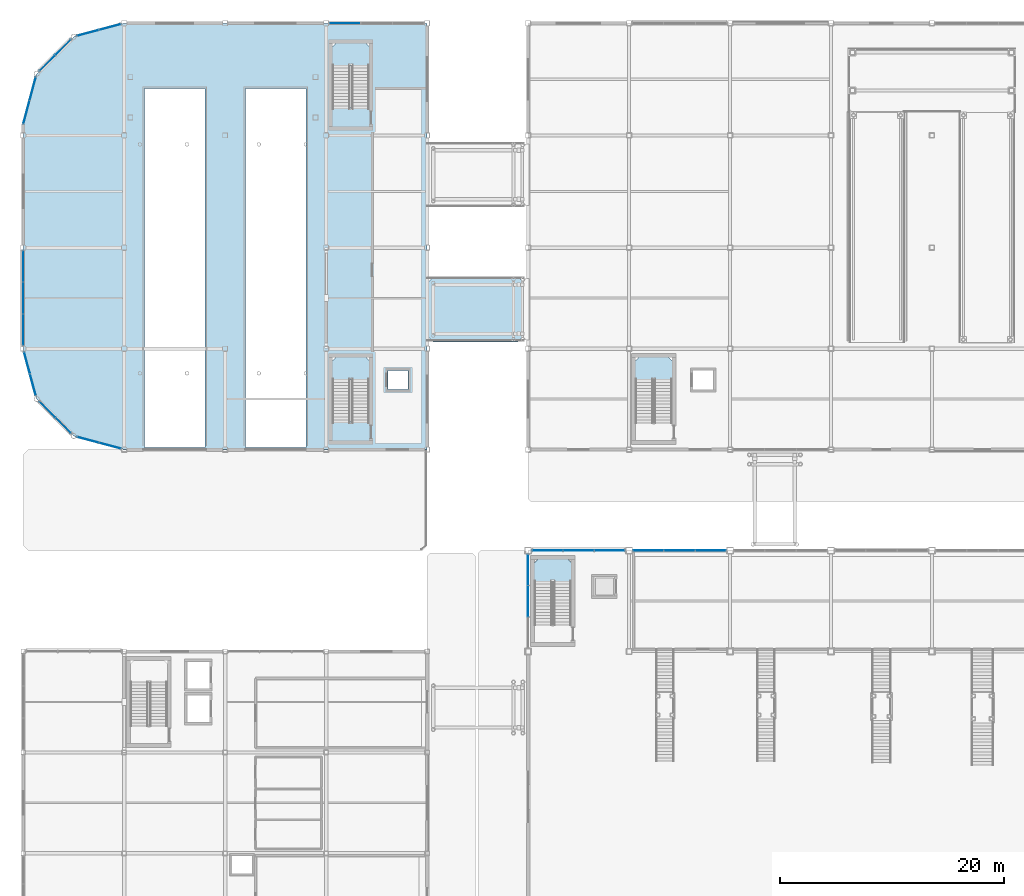
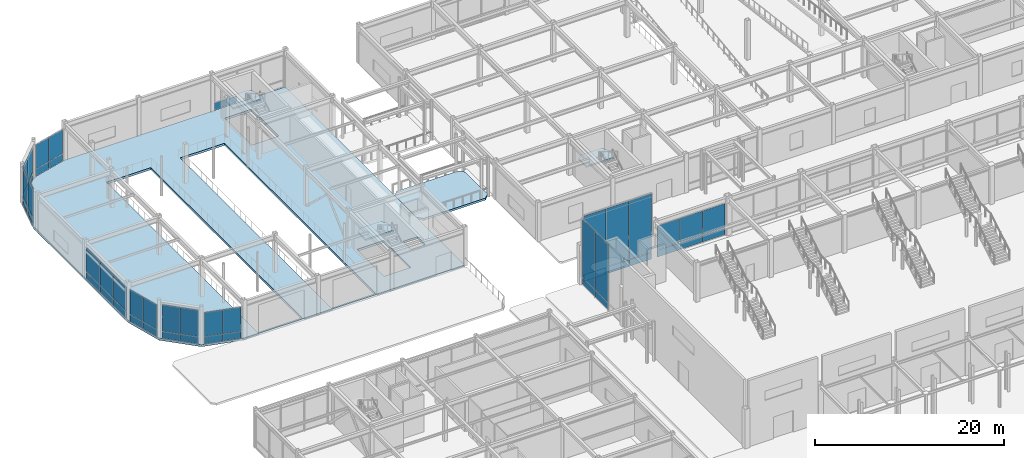
# One storey, part 66 of 123: 47 plates, 6 slabs, 15 elements without a shape of their own.
"""IFC4 building model written with IfcOpenShell, lengths in metres."""

from ifc_helpers import new_model, si_unit, direction, frame, origin, origin_2d, place, context, subcontext, project, spatial, polyline, rectangle, outline, extrude, material, layer, layer_set, type_object, element, aggregate, save


model = new_model("IFC4")

# Units and contexts
model_context = context("Model", 3, precision=1e-05, world=origin(), true_north=direction((0.0, 1.0)))
body_context = subcontext(model_context, "Body", "Model", "MODEL_VIEW")
ifc_project = project(units=[si_unit("LENGTHUNIT", "METRE"), si_unit("AREAUNIT", "SQUARE_METRE"), si_unit("VOLUMEUNIT", "CUBIC_METRE"), si_unit("PLANEANGLEUNIT", "RADIAN"), si_unit("MASSUNIT", "GRAM", prefix="KILO")], contexts=[model_context])

# Site, building, storey
site_placement = place(None, origin())
site = spatial("IfcSite", under=ifc_project, at=site_placement, CompositionType="ELEMENT")
building_placement = place(site_placement, origin())
building = spatial("IfcBuilding", under=site, at=building_placement, Name="Suzunagisa Mobility Hub", CompositionType="ELEMENT")
storey_placement = place(building_placement, origin())
storey = spatial("IfcBuildingStorey", under=building, at=storey_placement, Name="L00", CompositionType="ELEMENT", Elevation=0.0)

# Slabs
ifc_material_1 = material(Name="Concrete C35/45", Category="concrete")
ifc_layer_1 = layer(ifc_material_1, 0.280029296875)
ifc_layer_set_1 = layer_set([ifc_layer_1], Name="Concrete C35/45")
slab_type_1 = type_object("IfcSlabType", Name="Composite Slab SL-10 280mm", PredefinedType="FLOOR", material=ifc_layer_set_1)
slab_1_placement = place(storey_placement, frame((0.0, 0.0, -0.280029296875)))
element("IfcSlab", 1, at=slab_1_placement, inside=storey, type_object=slab_type_1, Name="L00 V2 Floor Slab", PredefinedType="FLOOR", context=body_context, shape_type="SweptSolid", body=[
    extrude(outline(polyline([(0.0, 89.0), (1.205810546875, 84.5), (4.5, 81.205810546875), (9.0, 80.0), (36.0, 80.0), (36.0, 118.0), (9.0, 118.0), (4.5, 116.794189453125), (1.205810546875, 113.5), (0.0, 109.0), (0.0, 89.0)]), holes=[polyline([(27.56005859375, 82.47998046875), (30.840087890625, 82.47998046875), (30.840087890625, 88.199951171875), (27.56005859375, 88.199951171875), (27.56005859375, 82.47998046875)]), polyline([(32.52001953125, 85.3701171875), (34.280029296875, 85.3701171875), (34.280029296875, 87.030029296875), (32.52001953125, 87.030029296875), (32.52001953125, 85.3701171875)]), polyline([(27.56005859375, 110.47998046875), (30.840087890625, 110.47998046875), (30.840087890625, 116.199951171875), (27.56005859375, 116.199951171875), (27.56005859375, 110.47998046875)]), polyline([(10.800048828125, 80.199951171875), (16.199951171875, 80.199951171875), (16.199951171875, 112.199951171875), (10.800048828125, 112.199951171875), (10.800048828125, 80.199951171875)]), polyline([(19.800048828125, 80.199951171875), (25.199951171875, 80.199951171875), (25.199951171875, 112.199951171875), (19.800048828125, 112.199951171875), (19.800048828125, 80.199951171875)])]), origin(), (0.0, 0.0, 1.0), 0.280029296875),
])
ifc_layer_2 = layer(ifc_material_1, 0.260009765625)
ifc_layer_set_2 = layer_set([ifc_layer_2], Name="Concrete C35/45")
slab_type_2 = type_object("IfcSlabType", Name="Composite Slab SL-12 260mm", PredefinedType="FLOOR", material=ifc_layer_set_2)
slab_2_placement = place(storey_placement, frame((0.0, 0.0, -0.260009765625)))
element("IfcSlab", 2, at=slab_2_placement, inside=storey, type_object=slab_type_2, Name="L00 Bridge Deck VRL-L00-S", PredefinedType="FLOOR", context=body_context, shape_type="SweptSolid", body=[
    extrude(outline(polyline([(36.550048828125, 89.60009765625), (44.10009765625, 89.60009765625), (44.64990234375, 90.14990234375), (44.64990234375, 94.85009765625), (44.10009765625, 95.39990234375), (36.550048828125, 95.39990234375), (36.0, 94.85009765625), (36.0, 90.14990234375), (36.550048828125, 89.60009765625)])), origin(), (0.0, 0.0, 1.0), 0.260009765625),
])

# Stair, slab
stair_type_1 = type_object("IfcStairType", Name="Dog-Leg Core Escape Stair ST-03 W1560", PredefinedType="HALF_TURN_STAIR", material=ifc_material_1)
stair_1_placement = place(storey_placement, origin())
stair_1 = element("IfcStair", 3, at=stair_1_placement, inside=storey, type_object=stair_type_1, Name="L00 Core C2 Escape Stair ST-03", PredefinedType="HALF_TURN_STAIR")
ifc_layer_3 = layer(ifc_material_1, 0.199951171875)
ifc_layer_set_3 = layer_set([ifc_layer_3], Name="Concrete C35/45")
slab_type_3 = type_object("IfcSlabType", Name="Core Stair Half-Landing Slab SL-SLND", PredefinedType="LANDING", material=ifc_layer_set_3)
slab_3_placement = place(storey_placement, frame((0.0, 0.0, 2.35009765625)))
slab_3 = element("IfcSlab", 4, at=slab_3_placement, type_object=slab_type_3, Name="ST-03 landing 1", PredefinedType="LANDING", context=body_context, shape_type="SweptSolid", body=[
    extrude(outline(polyline([(45.4599609375, 68.199951171875), (48.93994140625, 68.199951171875), (48.93994140625, 69.820068359375), (48.4599609375, 70.300048828125), (45.93994140625, 70.300048828125), (45.4599609375, 69.820068359375), (45.4599609375, 68.199951171875)])), origin(), (0.0, 0.0, 1.0), 0.199951171875),
])
aggregate(stair_1, [slab_3])

stair_type_2 = type_object("IfcStairType", Name="Dog-Leg Core Escape Stair ST-05 W1560", PredefinedType="HALF_TURN_STAIR", material=ifc_material_1)
stair_2_placement = place(storey_placement, origin())
stair_2 = element("IfcStair", 5, at=stair_2_placement, inside=storey, type_object=stair_type_2, Name="L00 Core C6 Escape Stair ST-05", PredefinedType="HALF_TURN_STAIR")
slab_4_placement = place(storey_placement, frame((0.0, 0.0, 2.35009765625)))
slab_4 = element("IfcSlab", 6, at=slab_4_placement, type_object=slab_type_3, Name="ST-05 landing 1", PredefinedType="LANDING", context=body_context, shape_type="SweptSolid", body=[
    extrude(outline(polyline([(27.4599609375, 86.199951171875), (30.93994140625, 86.199951171875), (30.93994140625, 87.820068359375), (30.4599609375, 88.300048828125), (27.93994140625, 88.300048828125), (27.4599609375, 87.820068359375), (27.4599609375, 86.199951171875)])), origin(), (0.0, 0.0, 1.0), 0.199951171875),
])
aggregate(stair_2, [slab_4])

stair_type_3 = type_object("IfcStairType", Name="Dog-Leg Core Escape Stair ST-06 W1560", PredefinedType="HALF_TURN_STAIR", material=ifc_material_1)
stair_3_placement = place(storey_placement, origin())
stair_3 = element("IfcStair", 7, at=stair_3_placement, inside=storey, type_object=stair_type_3, Name="L00 Core C6B Escape Stair ST-06", PredefinedType="HALF_TURN_STAIR")
slab_5_placement = place(storey_placement, frame((0.0, 0.0, 2.35009765625)))
slab_5 = element("IfcSlab", 8, at=slab_5_placement, type_object=slab_type_3, Name="ST-06 landing 1", PredefinedType="LANDING", context=body_context, shape_type="SweptSolid", body=[
    extrude(outline(polyline([(27.4599609375, 114.199951171875), (30.93994140625, 114.199951171875), (30.93994140625, 115.820068359375), (30.4599609375, 116.300048828125), (27.93994140625, 116.300048828125), (27.4599609375, 115.820068359375), (27.4599609375, 114.199951171875)])), origin(), (0.0, 0.0, 1.0), 0.199951171875),
])
aggregate(stair_3, [slab_5])

stair_type_4 = type_object("IfcStairType", Name="Dog-Leg Core Escape Stair ST-07 W1560", PredefinedType="HALF_TURN_STAIR", material=ifc_material_1)
stair_4_placement = place(storey_placement, origin())
stair_4 = element("IfcStair", 9, at=stair_4_placement, inside=storey, type_object=stair_type_4, Name="L00 Core C3 Escape Stair ST-07", PredefinedType="HALF_TURN_STAIR")
slab_6_placement = place(storey_placement, frame((0.0, 0.0, 2.35009765625)))
slab_6 = element("IfcSlab", 10, at=slab_6_placement, type_object=slab_type_3, Name="ST-07 landing 1", PredefinedType="LANDING", context=body_context, shape_type="SweptSolid", body=[
    extrude(outline(polyline([(54.4599609375, 86.199951171875), (57.93994140625, 86.199951171875), (57.93994140625, 87.820068359375), (57.4599609375, 88.300048828125), (54.93994140625, 88.300048828125), (54.4599609375, 87.820068359375), (54.4599609375, 86.199951171875)])), origin(), (0.0, 0.0, 1.0), 0.199951171875),
])
aggregate(stair_4, [slab_6])

# Curtain wall, plates
ifc_material_2 = material(Name="Thermally Broken Anodized Aluminum and Low-E Glazing", Category="aluminium")
curtain_wall_type_1 = type_object("IfcCurtainWallType", Name="Unitised Curtain Wall CW-04 4000x4200", PredefinedType="USERDEFINED", material=ifc_material_2)
curtain_wall_1_placement = place(storey_placement, origin())
curtain_wall_1 = element("IfcCurtainWall", 11, at=curtain_wall_1_placement, inside=storey, type_object=curtain_wall_type_1, Name="L00 Unitised Curtain Wall CW-44", ObjectType="UNITISED CURTAIN WALL", PredefinedType="USERDEFINED")
ifc_material_3 = material(Name="Low-E Solar-Control Double Glazing", Category="glass")
ifc_layer_4 = layer(ifc_material_3, 0.028076171875)
ifc_layer_set_4 = layer_set([ifc_layer_4], Name="Low-E Solar-Control Double Glazing")
plate_type_1 = type_object("IfcPlateType", Name="Low-E Double Glazed Curtain Panel GP-01 28mm", PredefinedType="CURTAIN_PANEL", material=ifc_layer_set_4)
plate_1_placement = place(storey_placement, frame((0.341064453125, 87.727294921875, 0.05810546875), z_axis=(0.0, 0.0, 1.0), x_axis=(0.258821357779, -0.965925206606, 0.0)))
plate_1 = element("IfcPlate", 12, at=plate_1_placement, type_object=plate_type_1, Name="Curtain Wall Glazing Panel 44-P1.1", PredefinedType="CURTAIN_PANEL", context=body_context, shape_type="SweptSolid", body=[
    extrude(rectangle(XDim=1.9580078125, YDim=0.028076171875, at=origin_2d()), origin(), (0.0, 0.0, 1.0), 0.864013671875),
])
plate_2_placement = place(storey_placement, frame((0.341064453125, 87.727294921875, 0.97802734375), z_axis=(0.0, 0.0, 1.0), x_axis=(0.258821357779, -0.965925206606, 0.0)))
plate_2 = element("IfcPlate", 13, at=plate_2_placement, type_object=plate_type_1, Name="Curtain Wall Glazing Panel 44-P1.2", PredefinedType="CURTAIN_PANEL", context=body_context, shape_type="SweptSolid", body=[
    extrude(rectangle(XDim=1.9580078125, YDim=0.028076171875, at=origin_2d()), origin(), (0.0, 0.0, 1.0), 3.154052734375),
])
plate_3_placement = place(storey_placement, frame((0.863525390625, 85.777099609375, 0.05810546875), z_axis=(0.0, 0.0, 1.0), x_axis=(0.258821357779, -0.965925206606, 0.0)))
plate_3 = element("IfcPlate", 14, at=plate_3_placement, type_object=plate_type_1, Name="Curtain Wall Glazing Panel 44-P2.1", PredefinedType="CURTAIN_PANEL", context=body_context, shape_type="SweptSolid", body=[
    extrude(rectangle(XDim=1.9580078125, YDim=0.028076171875, at=origin_2d()), origin(), (0.0, 0.0, 1.0), 0.864013671875),
])
plate_4_placement = place(storey_placement, frame((0.863525390625, 85.777099609375, 0.97802734375), z_axis=(0.0, 0.0, 1.0), x_axis=(0.258821357779, -0.965925206606, 0.0)))
plate_4 = element("IfcPlate", 15, at=plate_4_placement, type_object=plate_type_1, Name="Curtain Wall Glazing Panel 44-P2.2", PredefinedType="CURTAIN_PANEL", context=body_context, shape_type="SweptSolid", body=[
    extrude(rectangle(XDim=1.9580078125, YDim=0.028076171875, at=origin_2d()), origin(), (0.0, 0.0, 1.0), 3.154052734375),
])
aggregate(curtain_wall_1, [plate_1, plate_2, plate_3, plate_4])

curtain_wall_type_2 = type_object("IfcCurtainWallType", Name="Unitised Curtain Wall CW-26 4000x4400", PredefinedType="USERDEFINED", material=ifc_material_2)
curtain_wall_2_placement = place(storey_placement, origin())
curtain_wall_2 = element("IfcCurtainWall", 16, at=curtain_wall_2_placement, inside=storey, type_object=curtain_wall_type_2, Name="L00 Unitised Curtain Wall CW-45", ObjectType="UNITISED CURTAIN WALL", PredefinedType="USERDEFINED")
plate_5_placement = place(storey_placement, frame((2.1552734375, 83.550537109375, 0.05810546875), z_axis=(0.0, 0.0, 1.0), x_axis=(0.707106781187, -0.707106781187, 0.0)))
plate_5 = element("IfcPlate", 17, at=plate_5_placement, type_object=plate_type_1, Name="Curtain Wall Glazing Panel 45-P1.1", PredefinedType="CURTAIN_PANEL", context=body_context, shape_type="SweptSolid", body=[
    extrude(rectangle(XDim=1.91259765625, YDim=0.028076171875, at=origin_2d()), origin(), (0.0, 0.0, 1.0), 0.864013671875),
])
plate_6_placement = place(storey_placement, frame((2.1552734375, 83.550537109375, 0.97802734375), z_axis=(0.0, 0.0, 1.0), x_axis=(0.707106781187, -0.707106781187, 0.0)))
plate_6 = element("IfcPlate", 18, at=plate_6_placement, type_object=plate_type_1, Name="Curtain Wall Glazing Panel 45-P1.2", PredefinedType="CURTAIN_PANEL", context=body_context, shape_type="SweptSolid", body=[
    extrude(rectangle(XDim=1.91259765625, YDim=0.028076171875, at=origin_2d()), origin(), (0.0, 0.0, 1.0), 3.404052734375),
])
plate_7_placement = place(storey_placement, frame((3.55078125, 82.155029296875, 0.05810546875), z_axis=(0.0, 0.0, 1.0), x_axis=(0.707106781187, -0.707106781187, 0.0)))
plate_7 = element("IfcPlate", 19, at=plate_7_placement, type_object=plate_type_1, Name="Curtain Wall Glazing Panel 45-P2.1", PredefinedType="CURTAIN_PANEL", context=body_context, shape_type="SweptSolid", body=[
    extrude(rectangle(XDim=1.91259765625, YDim=0.028076171875, at=origin_2d()), origin(), (0.0, 0.0, 1.0), 0.864013671875),
])
plate_8_placement = place(storey_placement, frame((3.55078125, 82.155029296875, 0.97802734375), z_axis=(0.0, 0.0, 1.0), x_axis=(0.707106781187, -0.707106781187, 0.0)))
plate_8 = element("IfcPlate", 20, at=plate_8_placement, type_object=plate_type_1, Name="Curtain Wall Glazing Panel 45-P2.2", PredefinedType="CURTAIN_PANEL", context=body_context, shape_type="SweptSolid", body=[
    extrude(rectangle(XDim=1.91259765625, YDim=0.028076171875, at=origin_2d()), origin(), (0.0, 0.0, 1.0), 3.404052734375),
])
aggregate(curtain_wall_2, [plate_5, plate_6, plate_7, plate_8])

curtain_wall_type_3 = type_object("IfcCurtainWallType", Name="Unitised Curtain Wall CW-40 4000x4100", PredefinedType="USERDEFINED", material=ifc_material_2)
curtain_wall_3_placement = place(storey_placement, origin())
curtain_wall_3 = element("IfcCurtainWall", 21, at=curtain_wall_3_placement, inside=storey, type_object=curtain_wall_type_3, Name="L00 Unitised Curtain Wall CW-46", ObjectType="UNITISED CURTAIN WALL", PredefinedType="USERDEFINED")
plate_9_placement = place(storey_placement, frame((5.77685546875, 80.863525390625, 0.05810546875), z_axis=(0.0, 0.0, 1.0), x_axis=(0.965925206606, -0.258821357779, 0.0)))
plate_9 = element("IfcPlate", 22, at=plate_9_placement, type_object=plate_type_1, Name="Curtain Wall Glazing Panel 46-P1.1", PredefinedType="CURTAIN_PANEL", context=body_context, shape_type="SweptSolid", body=[
    extrude(rectangle(XDim=1.9580078125, YDim=0.028076171875, at=origin_2d()), origin(), (0.0, 0.0, 1.0), 0.864013671875),
])
plate_10_placement = place(storey_placement, frame((5.77685546875, 80.863525390625, 0.97802734375), z_axis=(0.0, 0.0, 1.0), x_axis=(0.965925206606, -0.258821357779, 0.0)))
plate_10 = element("IfcPlate", 23, at=plate_10_placement, type_object=plate_type_1, Name="Curtain Wall Glazing Panel 46-P1.2", PredefinedType="CURTAIN_PANEL", context=body_context, shape_type="SweptSolid", body=[
    extrude(rectangle(XDim=1.9580078125, YDim=0.028076171875, at=origin_2d()), origin(), (0.0, 0.0, 1.0), 3.10400390625),
])
plate_11_placement = place(storey_placement, frame((7.727294921875, 80.341064453125, 0.05810546875), z_axis=(0.0, 0.0, 1.0), x_axis=(0.965925206606, -0.258821357779, 0.0)))
plate_11 = element("IfcPlate", 24, at=plate_11_placement, type_object=plate_type_1, Name="Curtain Wall Glazing Panel 46-P2.1", PredefinedType="CURTAIN_PANEL", context=body_context, shape_type="SweptSolid", body=[
    extrude(rectangle(XDim=1.9580078125, YDim=0.028076171875, at=origin_2d()), origin(), (0.0, 0.0, 1.0), 0.864013671875),
])
plate_12_placement = place(storey_placement, frame((7.727294921875, 80.341064453125, 0.97802734375), z_axis=(0.0, 0.0, 1.0), x_axis=(0.965925206606, -0.258821357779, 0.0)))
plate_12 = element("IfcPlate", 25, at=plate_12_placement, type_object=plate_type_1, Name="Curtain Wall Glazing Panel 46-P2.2", PredefinedType="CURTAIN_PANEL", context=body_context, shape_type="SweptSolid", body=[
    extrude(rectangle(XDim=1.9580078125, YDim=0.028076171875, at=origin_2d()), origin(), (0.0, 0.0, 1.0), 3.10400390625),
])
aggregate(curtain_wall_3, [plate_9, plate_10, plate_11, plate_12])

# Curtain wall, plate
curtain_wall_type_4 = type_object("IfcCurtainWallType", Name="Unitised Curtain Wall CW-32 8500x4200", PredefinedType="USERDEFINED", material=ifc_material_2)
curtain_wall_4_placement = place(storey_placement, origin())
curtain_wall_4 = element("IfcCurtainWall", 26, at=curtain_wall_4_placement, inside=storey, type_object=curtain_wall_type_4, Name="L00 Unitised Curtain Wall CW-47", ObjectType="UNITISED CURTAIN WALL", PredefinedType="USERDEFINED")
plate_13_placement = place(storey_placement, frame((28.666259765625, 118.0, 0.06298828125), z_axis=(0.0, 0.0, 1.0), x_axis=(-1.0, 0.0, 0.0)))
plate_13 = element("IfcPlate", 27, at=plate_13_placement, type_object=plate_type_1, Name="Curtain Wall Glazing Panel 47-P3.1", PredefinedType="CURTAIN_PANEL", context=body_context, shape_type="SweptSolid", body=[
    extrude(rectangle(XDim=2.756591796875, YDim=0.028076171875, at=origin_2d()), origin(), (0.0, 0.0, 1.0), 0.8564453125),
])
aggregate(curtain_wall_4, [plate_13])

# Curtain wall, plates
curtain_wall_5_placement = place(storey_placement, origin())
curtain_wall_5 = element("IfcCurtainWall", 28, at=curtain_wall_5_placement, inside=storey, type_object=curtain_wall_type_3, Name="L00 Unitised Curtain Wall CW-48", ObjectType="UNITISED CURTAIN WALL", PredefinedType="USERDEFINED")
plate_14_placement = place(storey_placement, frame((7.727294921875, 117.658935546875, 0.05810546875), z_axis=(0.0, 0.0, 1.0), x_axis=(-0.965925206606, -0.258821357779, 0.0)))
plate_14 = element("IfcPlate", 29, at=plate_14_placement, type_object=plate_type_1, Name="Curtain Wall Glazing Panel 48-P1.1", PredefinedType="CURTAIN_PANEL", context=body_context, shape_type="SweptSolid", body=[
    extrude(rectangle(XDim=1.9580078125, YDim=0.028076171875, at=origin_2d()), origin(), (0.0, 0.0, 1.0), 0.864013671875),
])
plate_15_placement = place(storey_placement, frame((7.727294921875, 117.658935546875, 0.97802734375), z_axis=(0.0, 0.0, 1.0), x_axis=(-0.965925206606, -0.258821357779, 0.0)))
plate_15 = element("IfcPlate", 30, at=plate_15_placement, type_object=plate_type_1, Name="Curtain Wall Glazing Panel 48-P1.2", PredefinedType="CURTAIN_PANEL", context=body_context, shape_type="SweptSolid", body=[
    extrude(rectangle(XDim=1.9580078125, YDim=0.028076171875, at=origin_2d()), origin(), (0.0, 0.0, 1.0), 3.10400390625),
])
plate_16_placement = place(storey_placement, frame((5.777099609375, 117.136474609375, 0.05810546875), z_axis=(0.0, 0.0, 1.0), x_axis=(-0.965925206606, -0.258821357779, 0.0)))
plate_16 = element("IfcPlate", 31, at=plate_16_placement, type_object=plate_type_1, Name="Curtain Wall Glazing Panel 48-P2.1", PredefinedType="CURTAIN_PANEL", context=body_context, shape_type="SweptSolid", body=[
    extrude(rectangle(XDim=1.9580078125, YDim=0.028076171875, at=origin_2d()), origin(), (0.0, 0.0, 1.0), 0.864013671875),
])
plate_17_placement = place(storey_placement, frame((5.777099609375, 117.136474609375, 0.97802734375), z_axis=(0.0, 0.0, 1.0), x_axis=(-0.965925206606, -0.258821357779, 0.0)))
plate_17 = element("IfcPlate", 32, at=plate_17_placement, type_object=plate_type_1, Name="Curtain Wall Glazing Panel 48-P2.2", PredefinedType="CURTAIN_PANEL", context=body_context, shape_type="SweptSolid", body=[
    extrude(rectangle(XDim=1.9580078125, YDim=0.028076171875, at=origin_2d()), origin(), (0.0, 0.0, 1.0), 3.10400390625),
])
aggregate(curtain_wall_5, [plate_14, plate_15, plate_16, plate_17])

curtain_wall_6_placement = place(storey_placement, origin())
curtain_wall_6 = element("IfcCurtainWall", 33, at=curtain_wall_6_placement, inside=storey, type_object=curtain_wall_type_2, Name="L00 Unitised Curtain Wall CW-49", ObjectType="UNITISED CURTAIN WALL", PredefinedType="USERDEFINED")
plate_18_placement = place(storey_placement, frame((3.550537109375, 115.8447265625, 0.05810546875), z_axis=(0.0, 0.0, 1.0), x_axis=(-0.707106781187, -0.707106781187, 0.0)))
plate_18 = element("IfcPlate", 34, at=plate_18_placement, type_object=plate_type_1, Name="Curtain Wall Glazing Panel 49-P1.1", PredefinedType="CURTAIN_PANEL", context=body_context, shape_type="SweptSolid", body=[
    extrude(rectangle(XDim=1.91259765625, YDim=0.028076171875, at=origin_2d()), origin(), (0.0, 0.0, 1.0), 0.864013671875),
])
plate_19_placement = place(storey_placement, frame((3.550537109375, 115.8447265625, 0.97802734375), z_axis=(0.0, 0.0, 1.0), x_axis=(-0.707106781187, -0.707106781187, 0.0)))
plate_19 = element("IfcPlate", 35, at=plate_19_placement, type_object=plate_type_1, Name="Curtain Wall Glazing Panel 49-P1.2", PredefinedType="CURTAIN_PANEL", context=body_context, shape_type="SweptSolid", body=[
    extrude(rectangle(XDim=1.91259765625, YDim=0.028076171875, at=origin_2d()), origin(), (0.0, 0.0, 1.0), 3.404052734375),
])
plate_20_placement = place(storey_placement, frame((2.155029296875, 114.44921875, 0.05810546875), z_axis=(0.0, 0.0, 1.0), x_axis=(-0.707106781187, -0.707106781187, 0.0)))
plate_20 = element("IfcPlate", 36, at=plate_20_placement, type_object=plate_type_1, Name="Curtain Wall Glazing Panel 49-P2.1", PredefinedType="CURTAIN_PANEL", context=body_context, shape_type="SweptSolid", body=[
    extrude(rectangle(XDim=1.91259765625, YDim=0.028076171875, at=origin_2d()), origin(), (0.0, 0.0, 1.0), 0.864013671875),
])
plate_21_placement = place(storey_placement, frame((2.155029296875, 114.44921875, 0.97802734375), z_axis=(0.0, 0.0, 1.0), x_axis=(-0.707106781187, -0.707106781187, 0.0)))
plate_21 = element("IfcPlate", 37, at=plate_21_placement, type_object=plate_type_1, Name="Curtain Wall Glazing Panel 49-P2.2", PredefinedType="CURTAIN_PANEL", context=body_context, shape_type="SweptSolid", body=[
    extrude(rectangle(XDim=1.91259765625, YDim=0.028076171875, at=origin_2d()), origin(), (0.0, 0.0, 1.0), 3.404052734375),
])
aggregate(curtain_wall_6, [plate_18, plate_19, plate_20, plate_21])

curtain_wall_type_5 = type_object("IfcCurtainWallType", Name="Unitised Curtain Wall CW-08 4500x4800", PredefinedType="USERDEFINED", material=ifc_material_2)
curtain_wall_7_placement = place(storey_placement, origin())
curtain_wall_7 = element("IfcCurtainWall", 38, at=curtain_wall_7_placement, inside=storey, type_object=curtain_wall_type_5, Name="L00 Unitised Curtain Wall CW-50", ObjectType="UNITISED CURTAIN WALL", PredefinedType="USERDEFINED")
plate_22_placement = place(storey_placement, frame((0.845703125, 112.156494140625, 0.05810546875), z_axis=(0.0, 0.0, 1.0), x_axis=(-0.258815230137, -0.965926848498, 0.0)))
plate_22 = element("IfcPlate", 39, at=plate_22_placement, type_object=plate_type_1, Name="Curtain Wall Glazing Panel 50-P1.1", PredefinedType="CURTAIN_PANEL", context=body_context, shape_type="SweptSolid", body=[
    extrude(rectangle(XDim=2.095947265625, YDim=0.028076171875, at=origin_2d()), origin(), (0.0, 0.0, 1.0), 0.864013671875),
])
plate_23_placement = place(storey_placement, frame((0.845703125, 112.156494140625, 0.97802734375), z_axis=(0.0, 0.0, 1.0), x_axis=(-0.258815230137, -0.965926848498, 0.0)))
plate_23 = element("IfcPlate", 40, at=plate_23_placement, type_object=plate_type_1, Name="Curtain Wall Glazing Panel 50-P1.2", PredefinedType="CURTAIN_PANEL", context=body_context, shape_type="SweptSolid", body=[
    extrude(rectangle(XDim=2.095947265625, YDim=0.028076171875, at=origin_2d()), origin(), (0.0, 0.0, 1.0), 3.803955078125),
])
plate_24_placement = place(storey_placement, frame((0.28759765625, 110.072998046875, 0.05810546875), z_axis=(0.0, 0.0, 1.0), x_axis=(-0.258815230137, -0.965926848498, 0.0)))
plate_24 = element("IfcPlate", 41, at=plate_24_placement, type_object=plate_type_1, Name="Curtain Wall Glazing Panel 50-P2.1", PredefinedType="CURTAIN_PANEL", context=body_context, shape_type="SweptSolid", body=[
    extrude(rectangle(XDim=2.095947265625, YDim=0.028076171875, at=origin_2d()), origin(), (0.0, 0.0, 1.0), 0.864013671875),
])
plate_25_placement = place(storey_placement, frame((0.28759765625, 110.072998046875, 0.97802734375), z_axis=(0.0, 0.0, 1.0), x_axis=(-0.258815230137, -0.965926848498, 0.0)))
plate_25 = element("IfcPlate", 42, at=plate_25_placement, type_object=plate_type_1, Name="Curtain Wall Glazing Panel 50-P2.2", PredefinedType="CURTAIN_PANEL", context=body_context, shape_type="SweptSolid", body=[
    extrude(rectangle(XDim=2.095947265625, YDim=0.028076171875, at=origin_2d()), origin(), (0.0, 0.0, 1.0), 3.803955078125),
])
aggregate(curtain_wall_7, [plate_22, plate_23, plate_24, plate_25])

curtain_wall_type_6 = type_object("IfcCurtainWallType", Name="Unitised Curtain Wall CW-09 8500x4100", PredefinedType="USERDEFINED", material=ifc_material_2)
curtain_wall_8_placement = place(storey_placement, origin())
curtain_wall_8 = element("IfcCurtainWall", 43, at=curtain_wall_8_placement, inside=storey, type_object=curtain_wall_type_6, Name="L00 Unitised Curtain Wall CW-51", ObjectType="UNITISED CURTAIN WALL", PredefinedType="USERDEFINED")
plate_26_placement = place(storey_placement, frame((0.0, 96.333740234375, 0.06298828125), z_axis=(0.0, 0.0, 1.0), x_axis=(0.0, -1.0, 0.0)))
plate_26 = element("IfcPlate", 44, at=plate_26_placement, type_object=plate_type_1, Name="Curtain Wall Glazing Panel 51-P1.1", PredefinedType="CURTAIN_PANEL", context=body_context, shape_type="SweptSolid", body=[
    extrude(rectangle(XDim=2.756591796875, YDim=0.028076171875, at=origin_2d()), origin(), (0.0, 0.0, 1.0), 0.8564453125),
])
plate_27_placement = place(storey_placement, frame((0.0, 96.333740234375, 0.98046875), z_axis=(0.0, 0.0, 1.0), x_axis=(0.0, -1.0, 0.0)))
plate_27 = element("IfcPlate", 45, at=plate_27_placement, type_object=plate_type_1, Name="Curtain Wall Glazing Panel 51-P1.2", PredefinedType="CURTAIN_PANEL", context=body_context, shape_type="SweptSolid", body=[
    extrude(rectangle(XDim=2.756591796875, YDim=0.028076171875, at=origin_2d()), origin(), (0.0, 0.0, 1.0), 3.096435546875),
])
plate_28_placement = place(storey_placement, frame((0.0, 93.5, 0.06298828125), z_axis=(0.0, 0.0, 1.0), x_axis=(0.0, -1.0, 0.0)))
plate_28 = element("IfcPlate", 46, at=plate_28_placement, type_object=plate_type_1, Name="Curtain Wall Glazing Panel 51-P2.1", PredefinedType="CURTAIN_PANEL", context=body_context, shape_type="SweptSolid", body=[
    extrude(rectangle(XDim=2.7890625, YDim=0.028076171875, at=origin_2d()), origin(), (0.0, 0.0, 1.0), 0.8564453125),
])
plate_29_placement = place(storey_placement, frame((0.0, 93.5, 0.98046875), z_axis=(0.0, 0.0, 1.0), x_axis=(0.0, -1.0, 0.0)))
plate_29 = element("IfcPlate", 47, at=plate_29_placement, type_object=plate_type_1, Name="Curtain Wall Glazing Panel 51-P2.2", PredefinedType="CURTAIN_PANEL", context=body_context, shape_type="SweptSolid", body=[
    extrude(rectangle(XDim=2.7890625, YDim=0.028076171875, at=origin_2d()), origin(), (0.0, 0.0, 1.0), 3.096435546875),
])
plate_30_placement = place(storey_placement, frame((0.0, 90.666259765625, 0.06298828125), z_axis=(0.0, 0.0, 1.0), x_axis=(0.0, -1.0, 0.0)))
plate_30 = element("IfcPlate", 48, at=plate_30_placement, type_object=plate_type_1, Name="Curtain Wall Glazing Panel 51-P3.1", PredefinedType="CURTAIN_PANEL", context=body_context, shape_type="SweptSolid", body=[
    extrude(rectangle(XDim=2.756591796875, YDim=0.028076171875, at=origin_2d()), origin(), (0.0, 0.0, 1.0), 0.8564453125),
])
plate_31_placement = place(storey_placement, frame((0.0, 90.666259765625, 0.98046875), z_axis=(0.0, 0.0, 1.0), x_axis=(0.0, -1.0, 0.0)))
plate_31 = element("IfcPlate", 49, at=plate_31_placement, type_object=plate_type_1, Name="Curtain Wall Glazing Panel 51-P3.2", PredefinedType="CURTAIN_PANEL", context=body_context, shape_type="SweptSolid", body=[
    extrude(rectangle(XDim=2.756591796875, YDim=0.028076171875, at=origin_2d()), origin(), (0.0, 0.0, 1.0), 3.096435546875),
])
aggregate(curtain_wall_8, [plate_26, plate_27, plate_28, plate_29, plate_30, plate_31])

curtain_wall_9_placement = place(storey_placement, origin())
curtain_wall_9 = element("IfcCurtainWall", 50, at=curtain_wall_9_placement, inside=storey, type_object=curtain_wall_type_4, Name="L00 Unitised Curtain Wall CW-41", ObjectType="UNITISED CURTAIN WALL", PredefinedType="USERDEFINED")
ifc_layer_5 = layer(ifc_material_3, 0.031982421875)
ifc_layer_set_5 = layer_set([ifc_layer_5], Name="Low-E Solar-Control Double Glazing")
plate_type_2 = type_object("IfcPlateType", Name="Low-E Double Glazed Curtain Panel GP-02 32mm", PredefinedType="CURTAIN_PANEL", material=ifc_layer_set_5)
plate_32_placement = place(storey_placement, frame((61.28369140625, 71.0, 0.06298828125), z_axis=(0.0, 0.0, 1.0), x_axis=(-1.0, 0.0, 0.0)))
plate_32 = element("IfcPlate", 51, at=plate_32_placement, type_object=plate_type_2, Name="Curtain Wall Glazing Panel 41-P1.1", PredefinedType="CURTAIN_PANEL", context=body_context, shape_type="SweptSolid", body=[
    extrude(rectangle(XDim=2.70654296875, YDim=0.031982421875, at=origin_2d()), origin(), (0.0, 0.0, 1.0), 0.8564453125),
])
plate_33_placement = place(storey_placement, frame((61.28369140625, 71.0, 0.98046875), z_axis=(0.0, 0.0, 1.0), x_axis=(-1.0, 0.0, 0.0)))
plate_33 = element("IfcPlate", 52, at=plate_33_placement, type_object=plate_type_2, Name="Curtain Wall Glazing Panel 41-P1.2", PredefinedType="CURTAIN_PANEL", context=body_context, shape_type="SweptSolid", body=[
    extrude(rectangle(XDim=2.70654296875, YDim=0.031982421875, at=origin_2d()), origin(), (0.0, 0.0, 1.0), 3.1064453125),
])
plate_34_placement = place(storey_placement, frame((58.5, 71.0, 0.06298828125), z_axis=(0.0, 0.0, 1.0), x_axis=(-1.0, 0.0, 0.0)))
plate_34 = element("IfcPlate", 53, at=plate_34_placement, type_object=plate_type_2, Name="Curtain Wall Glazing Panel 41-P2.1", PredefinedType="CURTAIN_PANEL", context=body_context, shape_type="SweptSolid", body=[
    extrude(rectangle(XDim=2.739013671875, YDim=0.031982421875, at=origin_2d()), origin(), (0.0, 0.0, 1.0), 0.8564453125),
])
plate_35_placement = place(storey_placement, frame((58.5, 71.0, 0.98046875), z_axis=(0.0, 0.0, 1.0), x_axis=(-1.0, 0.0, 0.0)))
plate_35 = element("IfcPlate", 54, at=plate_35_placement, type_object=plate_type_2, Name="Curtain Wall Glazing Panel 41-P2.2", PredefinedType="CURTAIN_PANEL", context=body_context, shape_type="SweptSolid", body=[
    extrude(rectangle(XDim=2.739013671875, YDim=0.031982421875, at=origin_2d()), origin(), (0.0, 0.0, 1.0), 3.1064453125),
])
plate_36_placement = place(storey_placement, frame((55.71630859375, 71.0, 0.06298828125), z_axis=(0.0, 0.0, 1.0), x_axis=(-1.0, 0.0, 0.0)))
plate_36 = element("IfcPlate", 55, at=plate_36_placement, type_object=plate_type_2, Name="Curtain Wall Glazing Panel 41-P3.1", PredefinedType="CURTAIN_PANEL", context=body_context, shape_type="SweptSolid", body=[
    extrude(rectangle(XDim=2.70654296875, YDim=0.031982421875, at=origin_2d()), origin(), (0.0, 0.0, 1.0), 0.8564453125),
])
plate_37_placement = place(storey_placement, frame((55.71630859375, 71.0, 0.98046875), z_axis=(0.0, 0.0, 1.0), x_axis=(-1.0, 0.0, 0.0)))
plate_37 = element("IfcPlate", 56, at=plate_37_placement, type_object=plate_type_2, Name="Curtain Wall Glazing Panel 41-P3.2", PredefinedType="CURTAIN_PANEL", context=body_context, shape_type="SweptSolid", body=[
    extrude(rectangle(XDim=2.70654296875, YDim=0.031982421875, at=origin_2d()), origin(), (0.0, 0.0, 1.0), 3.1064453125),
])
aggregate(curtain_wall_9, [plate_32, plate_33, plate_34, plate_35, plate_36, plate_37])

curtain_wall_type_7 = type_object("IfcCurtainWallType", Name="Unitised Curtain Wall CW-34 8500x8600", PredefinedType="USERDEFINED", material=ifc_material_2)
curtain_wall_10_placement = place(storey_placement, origin())
curtain_wall_10 = element("IfcCurtainWall", 57, at=curtain_wall_10_placement, inside=storey, type_object=curtain_wall_type_7, Name="L00 Unitised Curtain Wall CW-42", ObjectType="UNITISED CURTAIN WALL", PredefinedType="USERDEFINED")
plate_38_placement = place(storey_placement, frame((52.28369140625, 71.0, 0.06298828125), z_axis=(0.0, 0.0, 1.0), x_axis=(-1.0, 0.0, 0.0)))
plate_38 = element("IfcPlate", 58, at=plate_38_placement, type_object=plate_type_2, Name="Curtain Wall Glazing Panel 42-P1.1", PredefinedType="CURTAIN_PANEL", context=body_context, shape_type="SweptSolid", body=[
    extrude(rectangle(XDim=2.70654296875, YDim=0.031982421875, at=origin_2d()), origin(), (0.0, 0.0, 1.0), 0.8564453125),
])
plate_39_placement = place(storey_placement, frame((52.28369140625, 71.0, 0.98046875), z_axis=(0.0, 0.0, 1.0), x_axis=(-1.0, 0.0, 0.0)))
plate_39 = element("IfcPlate", 59, at=plate_39_placement, type_object=plate_type_2, Name="Curtain Wall Glazing Panel 42-P1.2", PredefinedType="CURTAIN_PANEL", context=body_context, shape_type="SweptSolid", body=[
    extrude(rectangle(XDim=2.70654296875, YDim=0.031982421875, at=origin_2d()), origin(), (0.0, 0.0, 1.0), 7.53662109375),
])
plate_40_placement = place(storey_placement, frame((49.5, 71.0, 0.06298828125), z_axis=(0.0, 0.0, 1.0), x_axis=(-1.0, 0.0, 0.0)))
plate_40 = element("IfcPlate", 60, at=plate_40_placement, type_object=plate_type_2, Name="Curtain Wall Glazing Panel 42-P2.1", PredefinedType="CURTAIN_PANEL", context=body_context, shape_type="SweptSolid", body=[
    extrude(rectangle(XDim=2.739013671875, YDim=0.031982421875, at=origin_2d()), origin(), (0.0, 0.0, 1.0), 0.8564453125),
])
plate_41_placement = place(storey_placement, frame((49.5, 71.0, 0.98046875), z_axis=(0.0, 0.0, 1.0), x_axis=(-1.0, 0.0, 0.0)))
plate_41 = element("IfcPlate", 61, at=plate_41_placement, type_object=plate_type_2, Name="Curtain Wall Glazing Panel 42-P2.2", PredefinedType="CURTAIN_PANEL", context=body_context, shape_type="SweptSolid", body=[
    extrude(rectangle(XDim=2.739013671875, YDim=0.031982421875, at=origin_2d()), origin(), (0.0, 0.0, 1.0), 7.53662109375),
])
plate_42_placement = place(storey_placement, frame((46.71630859375, 71.0, 0.06298828125), z_axis=(0.0, 0.0, 1.0), x_axis=(-1.0, 0.0, 0.0)))
plate_42 = element("IfcPlate", 62, at=plate_42_placement, type_object=plate_type_2, Name="Curtain Wall Glazing Panel 42-P3.1", PredefinedType="CURTAIN_PANEL", context=body_context, shape_type="SweptSolid", body=[
    extrude(rectangle(XDim=2.70654296875, YDim=0.031982421875, at=origin_2d()), origin(), (0.0, 0.0, 1.0), 0.8564453125),
])
plate_43_placement = place(storey_placement, frame((46.71630859375, 71.0, 0.98046875), z_axis=(0.0, 0.0, 1.0), x_axis=(-1.0, 0.0, 0.0)))
plate_43 = element("IfcPlate", 63, at=plate_43_placement, type_object=plate_type_2, Name="Curtain Wall Glazing Panel 42-P3.2", PredefinedType="CURTAIN_PANEL", context=body_context, shape_type="SweptSolid", body=[
    extrude(rectangle(XDim=2.70654296875, YDim=0.031982421875, at=origin_2d()), origin(), (0.0, 0.0, 1.0), 7.53662109375),
])
aggregate(curtain_wall_10, [plate_38, plate_39, plate_40, plate_41, plate_42, plate_43])

curtain_wall_11_placement = place(storey_placement, origin())
curtain_wall_11 = element("IfcCurtainWall", 64, at=curtain_wall_11_placement, inside=storey, type_object=curtain_wall_type_7, Name="L00 Unitised Curtain Wall CW-43", ObjectType="UNITISED CURTAIN WALL", PredefinedType="USERDEFINED")
plate_44_placement = place(storey_placement, frame((45.0, 69.275390625, 0.06298828125), z_axis=(0.0, 0.0, 1.0), x_axis=(0.0, -1.0, 0.0)))
plate_44 = element("IfcPlate", 65, at=plate_44_placement, type_object=plate_type_2, Name="Curtain Wall Glazing Panel 43-P1.1", PredefinedType="CURTAIN_PANEL", context=body_context, shape_type="SweptSolid", body=[
    extrude(rectangle(XDim=2.72314453125, YDim=0.031982421875, at=origin_2d()), origin(), (0.0, 0.0, 1.0), 0.8564453125),
])
plate_45_placement = place(storey_placement, frame((45.0, 69.275390625, 0.98046875), z_axis=(0.0, 0.0, 1.0), x_axis=(0.0, -1.0, 0.0)))
plate_45 = element("IfcPlate", 66, at=plate_45_placement, type_object=plate_type_2, Name="Curtain Wall Glazing Panel 43-P1.2", PredefinedType="CURTAIN_PANEL", context=body_context, shape_type="SweptSolid", body=[
    extrude(rectangle(XDim=2.72314453125, YDim=0.031982421875, at=origin_2d()), origin(), (0.0, 0.0, 1.0), 7.53662109375),
])
plate_46_placement = place(storey_placement, frame((45.0, 66.47509765625, 0.06298828125), z_axis=(0.0, 0.0, 1.0), x_axis=(0.0, -1.0, 0.0)))
plate_46 = element("IfcPlate", 67, at=plate_46_placement, type_object=plate_type_2, Name="Curtain Wall Glazing Panel 43-P2.1", PredefinedType="CURTAIN_PANEL", context=body_context, shape_type="SweptSolid", body=[
    extrude(rectangle(XDim=2.755615234375, YDim=0.031982421875, at=origin_2d()), origin(), (0.0, 0.0, 1.0), 0.8564453125),
])
plate_47_placement = place(storey_placement, frame((45.0, 66.47509765625, 0.98046875), z_axis=(0.0, 0.0, 1.0), x_axis=(0.0, -1.0, 0.0)))
plate_47 = element("IfcPlate", 68, at=plate_47_placement, type_object=plate_type_2, Name="Curtain Wall Glazing Panel 43-P2.2", PredefinedType="CURTAIN_PANEL", context=body_context, shape_type="SweptSolid", body=[
    extrude(rectangle(XDim=2.755615234375, YDim=0.031982421875, at=origin_2d()), origin(), (0.0, 0.0, 1.0), 7.53662109375),
])
aggregate(curtain_wall_11, [plate_44, plate_45, plate_46, plate_47])

save(model, "model.ifc")
